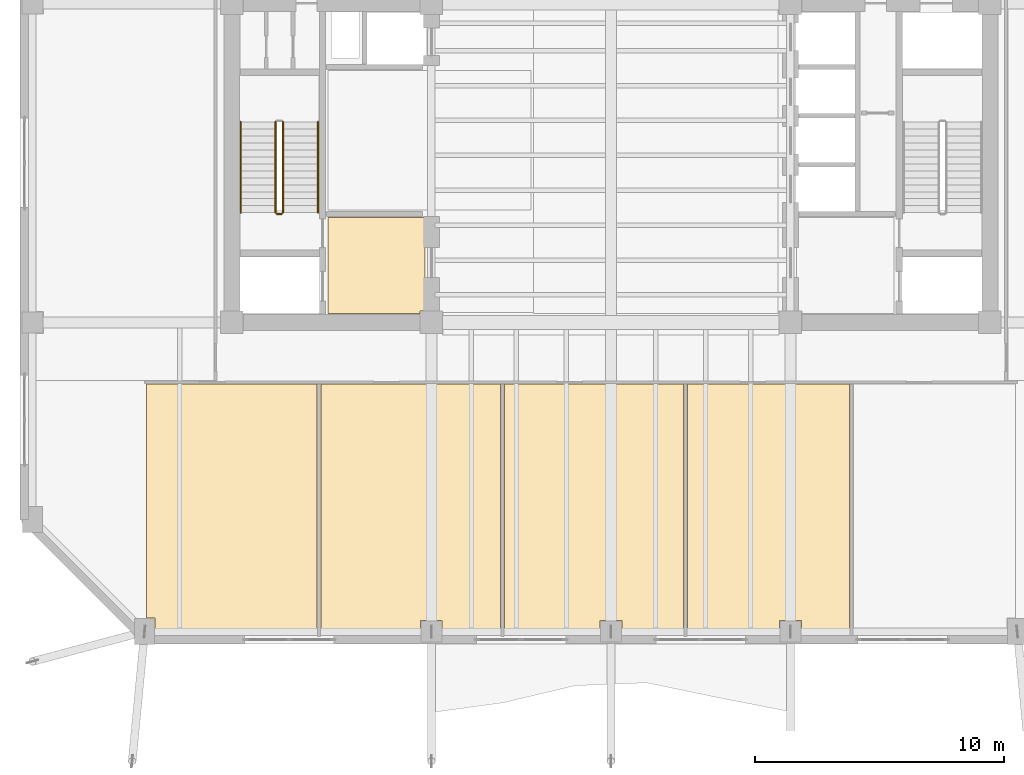
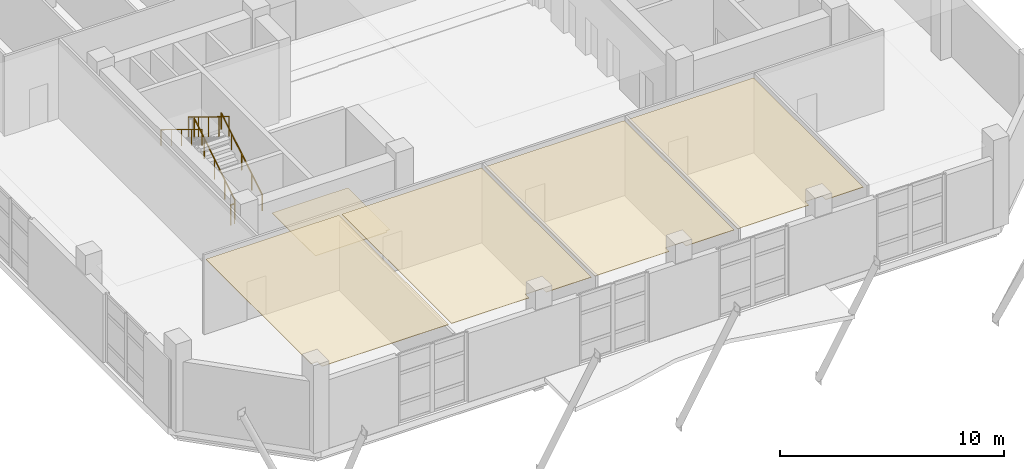
# One storey, part 11 of 15: 5 coverings, 5 railings.
"""IFC4 building model written with IfcOpenShell, lengths in metres."""

from ifc_helpers import new_model, si_unit, direction, frame, origin, origin_2d, place, context, subcontext, project, spatial, polyline, circle, outline, extrude, material, layer, layer_set, type_object, element, save


model = new_model("IFC4")

# Units and contexts
model_context = context("Model", 3, precision=1e-05, world=origin(), true_north=direction((0.0, 1.0)))
body_context = subcontext(model_context, "Body", "Model", "MODEL_VIEW")
ifc_project = project(units=[si_unit("LENGTHUNIT", "METRE"), si_unit("AREAUNIT", "SQUARE_METRE"), si_unit("VOLUMEUNIT", "CUBIC_METRE"), si_unit("PLANEANGLEUNIT", "RADIAN"), si_unit("MASSUNIT", "GRAM", prefix="KILO")], contexts=[model_context])

# Site, building, storey
site_placement = place(None, origin())
site = spatial("IfcSite", under=ifc_project, at=site_placement, CompositionType="ELEMENT")
building_placement = place(site_placement, origin())
building = spatial("IfcBuilding", under=site, at=building_placement, Name="Kranthara Brick Stack", CompositionType="ELEMENT")
storey_placement = place(building_placement, frame((0.0, 0.0, 202.699951171875)))
storey = spatial("IfcBuildingStorey", under=building, at=storey_placement, Name="L52", CompositionType="ELEMENT", Elevation=202.699951171875)

# Coverings
ifc_material_1 = material(Name="Perforated mineral-fibre acoustic ceiling tile", Category="other")
ifc_layer_1 = layer(ifc_material_1, 0.02490234375)
ifc_layer_set_1 = layer_set([ifc_layer_1], Name="Perforated mineral-fibre acoustic ceiling tile")
covering_type_1 = type_object("IfcCoveringType", Name="COV-CEIL-ACOUSTIC", PredefinedType="CEILING", material=ifc_layer_set_1)
covering_1_placement = place(storey_placement, frame((0.0, 0.0, 4.080078125)))
element("IfcCovering", 1, at=covering_1_placement, inside=storey, type_object=covering_type_1, Name="L52 Residents Private Dining Room Acoustic Ceiling", PredefinedType="CEILING", context=body_context, shape_type="SweptSolid", body=[
    extrude(outline(polyline([(9.3798828125, 18.320068359375), (16.219970703125, 18.320068359375), (16.219970703125, 8.52001953125), (9.7099609375, 8.52001953125), (9.7099609375, 8.93505859375), (9.3798828125, 8.93505859375), (9.3798828125, 18.320068359375)])), origin(), (0.0, 0.0, 1.0), 0.02490234375),
])
covering_2_placement = place(storey_placement, frame((0.0, 0.0, 4.080078125)))
element("IfcCovering", 2, at=covering_2_placement, inside=storey, type_object=covering_type_1, Name="L52 Residents Reading Library Acoustic Ceiling", PredefinedType="CEILING", context=body_context, shape_type="SweptSolid", body=[
    extrude(outline(polyline([(16.3798828125, 8.52001953125), (16.3798828125, 18.320068359375), (23.570068359375, 18.320068359375), (23.570068359375, 8.52001953125), (21.235107421875, 8.52001953125), (21.235107421875, 8.8349609375), (20.364990234375, 8.8349609375), (20.364990234375, 8.52001953125), (16.3798828125, 8.52001953125)])), origin(), (0.0, 0.0, 1.0), 0.02490234375),
])
covering_3_placement = place(storey_placement, frame((0.0, 0.0, 4.080078125)))
element("IfcCovering", 3, at=covering_3_placement, inside=storey, type_object=covering_type_1, Name="L52 Sky Library Study Acoustic Ceiling", PredefinedType="CEILING", context=body_context, shape_type="SweptSolid", body=[
    extrude(outline(polyline([(23.72998046875, 8.52001953125), (23.72998046875, 18.320068359375), (30.919921875, 18.320068359375), (30.919921875, 8.52001953125), (28.43505859375, 8.52001953125), (28.43505859375, 8.8349609375), (27.56494140625, 8.8349609375), (27.56494140625, 8.52001953125), (23.72998046875, 8.52001953125)])), origin(), (0.0, 0.0, 1.0), 0.02490234375),
])
covering_4_placement = place(storey_placement, frame((0.0, 0.0, 4.080078125)))
element("IfcCovering", 4, at=covering_4_placement, inside=storey, type_object=covering_type_1, Name="L52 Residents Tea Salon Acoustic Ceiling", PredefinedType="CEILING", context=body_context, shape_type="SweptSolid", body=[
    extrude(outline(polyline([(31.080078125, 8.52001953125), (31.080078125, 18.320068359375), (37.570068359375, 18.320068359375), (37.570068359375, 8.52001953125), (35.635009765625, 8.52001953125), (35.635009765625, 8.8349609375), (34.764892578125, 8.8349609375), (34.764892578125, 8.52001953125), (31.080078125, 8.52001953125)])), origin(), (0.0, 0.0, 1.0), 0.02490234375),
])
ifc_material_2 = material(Name="Honed terrazzo and porcelain floor finish", Category="stone")
ifc_layer_2 = layer(ifc_material_2, 0.030029296875)
ifc_layer_set_2 = layer_set([ifc_layer_2], Name="Honed terrazzo and porcelain floor finish")
covering_type_2 = type_object("IfcCoveringType", Name="COV-FLOR-STONE", PredefinedType="FLOORING", material=ifc_layer_set_2)
covering_5_placement = place(storey_placement, origin())
element("IfcCovering", 5, at=covering_5_placement, inside=storey, type_object=covering_type_2, Name="L52 Lift Lobby Stone Flooring", PredefinedType="FLOORING", context=body_context, shape_type="SweptSolid", body=[
    extrude(outline(polyline([(16.64990234375, 21.14990234375), (16.64990234375, 25.0), (20.550048828125, 25.0), (20.550048828125, 21.260009765625), (20.340087890625, 21.260009765625), (20.340087890625, 21.14990234375), (16.64990234375, 21.14990234375)])), origin(), (0.0, 0.0, 1.0), 0.030029296875),
])

# Railings
ifc_material_3 = material(Name="Painted galvanized steel stair guardrail", Category="steel")
railing_type_1 = type_object("IfcRailingType", Name="RL-STAIR-GUARD-1100", PredefinedType="GUARDRAIL", material=ifc_material_3)
railing_1_placement = place(storey_placement, frame((14.85009765625, 25.199951171875, 0.17138671875)))
element("IfcRailing", 6, at=railing_1_placement, inside=storey, type_object=railing_type_1, Name="L52 ST01 stair guard 1", PredefinedType="GUARDRAIL", context=body_context, shape_type="SweptSolid", body=[
    extrude(circle(Radius=0.02392578125, at=origin_2d()), frame((0.0, 0.0, 1.076171875), z_axis=(0.0, 0.852840387347, 0.522171689878), x_axis=(-1.0, 0.0, 0.0)), (0.0, 0.0, 1.0), 4.268310546875),
    extrude(circle(Radius=0.02099609375, at=origin_2d()), origin(), (0.0, 0.0, 1.0), 1.052001953125),
    extrude(circle(Radius=0.02099609375, at=origin_2d()), frame((0.0, 0.91015625, 0.55712890625)), (0.0, 0.0, 1.0), 1.052001953125),
    extrude(circle(Radius=0.02099609375, at=origin_2d()), frame((0.0, 1.820068359375, 1.1142578125)), (0.0, 0.0, 1.0), 1.052001953125),
    extrude(circle(Radius=0.02099609375, at=origin_2d()), frame((0.0, 2.72998046875, 1.671630859375)), (0.0, 0.0, 1.0), 1.052001953125),
    extrude(circle(Radius=0.02099609375, at=origin_2d()), frame((0.0, 3.64013671875, 2.228759765625)), (0.0, 0.0, 1.0), 1.052001953125),
])
railing_2_placement = place(storey_placement, frame((14.550048828125, 28.840087890625, 2.571533203125)))
element("IfcRailing", 7, at=railing_2_placement, inside=storey, type_object=railing_type_1, Name="L52 ST01 stair guard 3", PredefinedType="GUARDRAIL", context=body_context, shape_type="SweptSolid", body=[
    extrude(circle(Radius=0.02392578125, at=origin_2d()), frame((0.0, 0.0, 1.076171875), z_axis=(0.0, -0.852865859571, 0.52213008492), x_axis=(1.0, 0.0, 0.0)), (0.0, 0.0, 1.0), 4.26806640625),
    extrude(circle(Radius=0.02099609375, at=origin_2d()), origin(), (0.0, 0.0, 1.0), 1.052001953125),
    extrude(circle(Radius=0.02099609375, at=origin_2d()), frame((0.0, -0.91015625, 0.55712890625)), (0.0, 0.0, 1.0), 1.052001953125),
    extrude(circle(Radius=0.02099609375, at=origin_2d()), frame((0.0, -1.820068359375, 1.1142578125)), (0.0, 0.0, 1.0), 1.052001953125),
    extrude(circle(Radius=0.02099609375, at=origin_2d()), frame((0.0, -2.72998046875, 1.67138671875)), (0.0, 0.0, 1.0), 1.052001953125),
    extrude(circle(Radius=0.02099609375, at=origin_2d()), frame((0.0, -3.64013671875, 2.228515625)), (0.0, 0.0, 1.0), 1.052001953125),
])
railing_3_placement = place(storey_placement, frame((14.800048828125, 25.14990234375, 0.0)))
element("IfcRailing", 8, at=railing_3_placement, inside=storey, type_object=railing_type_1, Name="L52 ST01 stair guard 4", PredefinedType="GUARDRAIL", context=body_context, shape_type="SweptSolid", body=[
    extrude(circle(Radius=0.02392578125, at=origin_2d()), frame((0.0, 0.0, 1.076171875), z_axis=(-1.0, 0.0, 0.0), x_axis=(0.0, -1.0, 0.0)), (0.0, 0.0, 1.0), 0.199951171875),
    extrude(circle(Radius=0.02099609375, at=origin_2d()), origin(), (0.0, 0.0, 1.0), 1.052001953125),
    extrude(circle(Radius=0.02099609375, at=origin_2d()), frame((-0.199951171875, 0.0, 0.0)), (0.0, 0.0, 1.0), 1.052001953125),
])
ifc_material_4 = material(Name="Brushed stainless steel tubular handrail", Category="steel")
railing_type_2 = type_object("IfcRailingType", Name="RL-STAIR-HAND-900", PredefinedType="HANDRAIL", material=ifc_material_4)
railing_4_placement = place(storey_placement, frame((16.25, 25.199951171875, 0.17138671875)))
element("IfcRailing", 9, at=railing_4_placement, inside=storey, type_object=railing_type_2, Name="L52 ST01 stair handrail 1", PredefinedType="HANDRAIL", context=body_context, shape_type="SweptSolid", body=[
    extrude(circle(Radius=0.02392578125, at=origin_2d()), frame((0.0, 0.0, 0.8759765625), z_axis=(0.0, 0.852840387347, 0.522171689878), x_axis=(-1.0, 0.0, 0.0)), (0.0, 0.0, 1.0), 4.268310546875),
    extrude(circle(Radius=0.02099609375, at=origin_2d()), origin(), (0.0, 0.0, 1.0), 0.851806640625),
    extrude(circle(Radius=0.02099609375, at=origin_2d()), frame((0.0, 0.91015625, 0.55712890625)), (0.0, 0.0, 1.0), 0.851806640625),
    extrude(circle(Radius=0.02099609375, at=origin_2d()), frame((0.0, 1.820068359375, 1.1142578125)), (0.0, 0.0, 1.0), 0.851806640625),
    extrude(circle(Radius=0.02099609375, at=origin_2d()), frame((0.0, 2.72998046875, 1.671630859375)), (0.0, 0.0, 1.0), 0.851806640625),
    extrude(circle(Radius=0.02099609375, at=origin_2d()), frame((0.0, 3.64013671875, 2.228759765625)), (0.0, 0.0, 1.0), 0.851806640625),
])
railing_5_placement = place(storey_placement, frame((13.14990234375, 28.840087890625, 2.571533203125)))
element("IfcRailing", 10, at=railing_5_placement, inside=storey, type_object=railing_type_2, Name="L52 ST01 stair handrail 2", PredefinedType="HANDRAIL", context=body_context, shape_type="SweptSolid", body=[
    extrude(circle(Radius=0.02392578125, at=origin_2d()), frame((0.0, 0.0, 0.8759765625), z_axis=(0.0, -0.852865859571, 0.52213008492), x_axis=(1.0, 0.0, 0.0)), (0.0, 0.0, 1.0), 4.26806640625),
    extrude(circle(Radius=0.02099609375, at=origin_2d()), origin(), (0.0, 0.0, 1.0), 0.851806640625),
    extrude(circle(Radius=0.02099609375, at=origin_2d()), frame((0.0, -0.91015625, 0.55712890625)), (0.0, 0.0, 1.0), 0.851806640625),
    extrude(circle(Radius=0.02099609375, at=origin_2d()), frame((0.0, -1.820068359375, 1.1142578125)), (0.0, 0.0, 1.0), 0.851806640625),
    extrude(circle(Radius=0.02099609375, at=origin_2d()), frame((0.0, -2.72998046875, 1.67138671875)), (0.0, 0.0, 1.0), 0.851806640625),
    extrude(circle(Radius=0.02099609375, at=origin_2d()), frame((0.0, -3.64013671875, 2.228515625)), (0.0, 0.0, 1.0), 0.851806640625),
])

save(model, "model.ifc")
